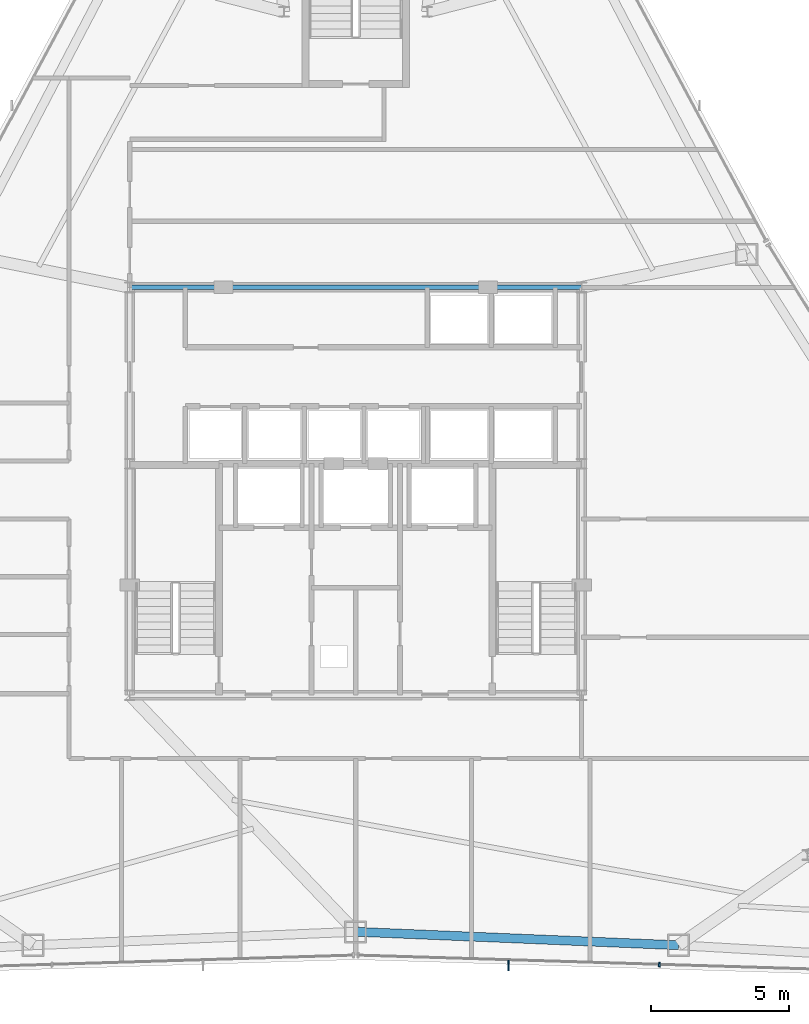
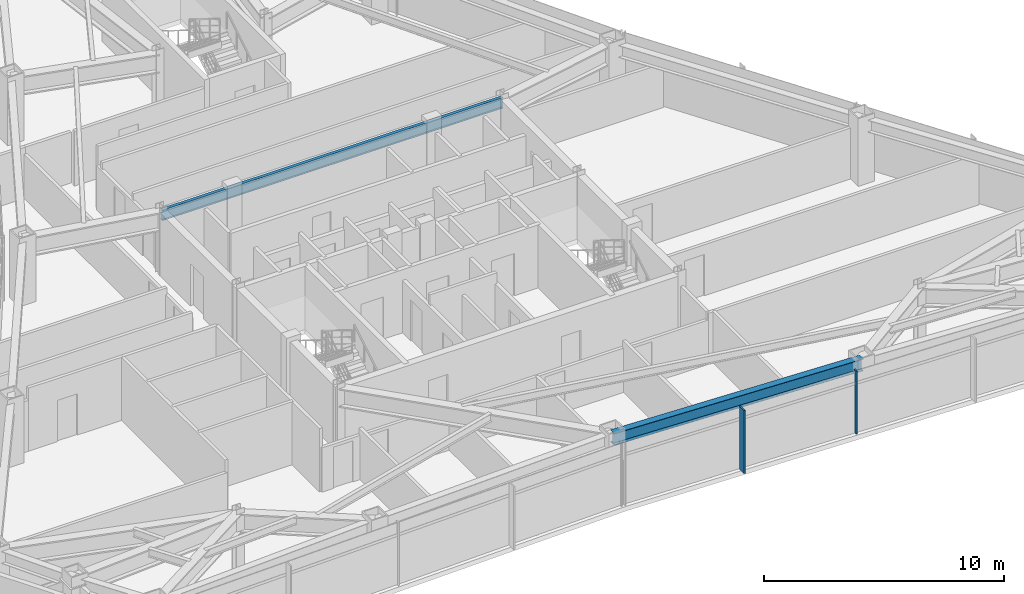
# One storey, part 6 of 13: 2 beams, 2 members, 1 element without a shape of its own.
"""IFC4 building model written with IfcOpenShell, lengths in metres."""

from ifc_helpers import new_model, si_unit, direction, frame, origin, origin_2d, place, context, subcontext, project, spatial, rectangle, i_section, extrude, source, transform, mapped, material, layer, layer_set, material_profile, profile_set, type_object, type_shapes, element, aggregate, save


model = new_model("IFC4")

# Units and contexts
model_context = context("Model", 3, precision=1e-05, world=origin(), true_north=direction((0.0, 1.0)))
body_context = subcontext(model_context, "Body", "Model", "MODEL_VIEW")
ifc_project = project(units=[si_unit("LENGTHUNIT", "METRE"), si_unit("AREAUNIT", "SQUARE_METRE"), si_unit("VOLUMEUNIT", "CUBIC_METRE"), si_unit("PLANEANGLEUNIT", "RADIAN"), si_unit("MASSUNIT", "GRAM", prefix="KILO")], contexts=[model_context])

# Site, building, storey
site_placement = place(None, origin())
site = spatial("IfcSite", under=ifc_project, at=site_placement, CompositionType="ELEMENT")
building_placement = place(site_placement, origin())
building = spatial("IfcBuilding", under=site, at=building_placement, Name="Varakhsha Concourse Tower", CompositionType="ELEMENT")
storey_placement = place(building_placement, frame((0.0, 0.0, 162.0)))
storey = spatial("IfcBuildingStorey", under=building, at=storey_placement, Name="L46", CompositionType="ELEMENT", Elevation=162.0)

# Beams
ifc_material_1 = material(Name="Structural Steel ASTM A992 Grade 50", Category="steel")
ifc_material_profile_1 = material_profile(ifc_material_1, i_section(OverallWidth=0.1669921875, OverallDepth=0.534912109375, WebThickness=0.010009765625, FlangeThickness=0.01708984375, at=origin_2d()), Name="W21X57")
ifc_profile_set_1 = profile_set([ifc_material_profile_1], Name="Structural Steel ASTM A992 Grade 50")
beam_type_1 = type_object("IfcBeamType", Name="BM-RAD-W21X57", PredefinedType="BEAM", material=ifc_profile_set_1)
beam_1_placement = place(storey_placement, frame((31.800048828125, 31.199951171875, 2.9423828125), z_axis=(1.0, 0.0, 0.0), x_axis=(0.0, 1.0, 0.0)))
element("IfcBeam", 1, at=beam_1_placement, inside=storey, type_object=beam_type_1, Name="BM-TCORE-L46-CN", PredefinedType="BEAM", context=body_context, shape_type="SweptSolid", body=[
    extrude(i_section(OverallWidth=0.1669921875, OverallDepth=0.534912109375, WebThickness=0.010009765625, FlangeThickness=0.01708984375, at=origin_2d()), origin(), (0.0, 0.0, 1.0), 16.39990234375),
])
ifc_material_profile_2 = material_profile(ifc_material_1, i_section(OverallWidth=0.323974609375, OverallDepth=0.611083984375, WebThickness=0.012939453125, FlangeThickness=0.01904296875, at=origin_2d()), Name="W24X104")
ifc_profile_set_2 = profile_set([ifc_material_profile_2], Name="Structural Steel ASTM A992 Grade 50")
beam_type_2 = type_object("IfcBeamType", Name="BM-SPAN-W24X104", PredefinedType="SPANDREL", material=ifc_profile_set_2)
beam_2_placement = place(storey_placement, frame((40.0, 7.812255859375, 2.904541015625), z_axis=(0.999128809081, -0.041732755292, 0.0), x_axis=(0.041732755292, 0.999128809081, 0.0)))
element("IfcBeam", 2, at=beam_2_placement, inside=storey, type_object=beam_type_2, Name="BM-SPAN-L46-11", PredefinedType="SPANDREL", context=body_context, shape_type="SweptSolid", body=[
    extrude(i_section(OverallWidth=0.323974609375, OverallDepth=0.611083984375, WebThickness=0.012939453125, FlangeThickness=0.01904296875, at=origin_2d()), origin(), (0.0, 0.0, 1.0), 11.7236328125),
])

# Curtain wall, members
ifc_material_2 = material(Name="Anodised Bronze Architectural Aluminium AA 6063-T6", Category="aluminium")
ifc_layer = layer(ifc_material_2, 0.2099609375, Name="CW-SYS-04")
ifc_layer_set = layer_set([ifc_layer], Name="Anodised Bronze Architectural Aluminium AA 6063-T6")
curtain_wall_type = type_object("IfcCurtainWallType", Name="CW-SYS-04", PredefinedType="NOTDEFINED", material=ifc_layer_set)
curtain_wall_placement = place(storey_placement, origin())
curtain_wall = element("IfcCurtainWall", 3, at=curtain_wall_placement, inside=storey, type_object=curtain_wall_type, Name="L46 Crystal Curtain Wall F6", PredefinedType="NOTDEFINED")
ifc_material_profile_3 = material_profile(ifc_material_2, rectangle(XDim=0.06005859375, YDim=0.3798828125, at=origin_2d()), Name="FIN-BRZ-380")
ifc_profile_set_3 = profile_set([ifc_material_profile_3], Name="Anodised Bronze Architectural Aluminium AA 6063-T6")
member_type_1 = type_object("IfcMemberType", Name="FIN-BRZ-380", PredefinedType="USERDEFINED", material=ifc_profile_set_3)
shared_shape_1 = source(origin(), body_context, "Body", "SweptSolid", [
    extrude(rectangle(XDim=0.06005859375, YDim=0.3798828125, at=origin_2d()), origin(), (0.0, 0.0, 1.0), 3.2099609375),
])
type_shapes(member_type_1, [shared_shape_1])
member_1_placement = place(storey_placement, frame((45.547119140625, 6.5859375, 0.0), z_axis=(0.0, 0.0, 1.0), x_axis=(1.0, 0.0, 0.0)))
member_1 = element("IfcMember", 4, at=member_1_placement, type_object=member_type_1, Name="L46 Anodised Bronze Solar Fin F6-2", ObjectType="SOLAR FIN", PredefinedType="USERDEFINED", context=body_context, shape_type="MappedRepresentation", body=[
    mapped(shared_shape_1, transform((0.0, 0.0, 0.0), scale=1.0)),
])
ifc_material_profile_4 = material_profile(ifc_material_2, rectangle(XDim=0.06494140625, YDim=0.179931640625, at=origin_2d()), Name="CWM-180X65")
ifc_profile_set_4 = profile_set([ifc_material_profile_4], Name="Anodised Bronze Architectural Aluminium AA 6063-T6")
member_type_2 = type_object("IfcMemberType", Name="CWM-180X65", PredefinedType="MULLION", material=ifc_profile_set_4)
shared_shape_2 = source(origin(), body_context, "Body", "SweptSolid", [
    extrude(rectangle(XDim=0.06494140625, YDim=0.179931640625, at=origin_2d()), origin(), (0.0, 0.0, 1.0), 3.2099609375),
])
type_shapes(member_type_2, [shared_shape_2])
member_2_placement = place(storey_placement, frame((51.021728515625, 6.623779296875, 0.0), z_axis=(0.0, 0.0, 1.0), x_axis=(-0.999534017137, 0.030524557085, 0.0)))
member_2 = element("IfcMember", 5, at=member_2_placement, type_object=member_type_2, Name="CW-L46-F6 Mullion 01", PredefinedType="MULLION", context=body_context, shape_type="MappedRepresentation", body=[
    mapped(shared_shape_2, transform((0.0, 0.0, 0.0), scale=1.0)),
])
aggregate(curtain_wall, [member_2, member_1])

save(model, "model.ifc")
